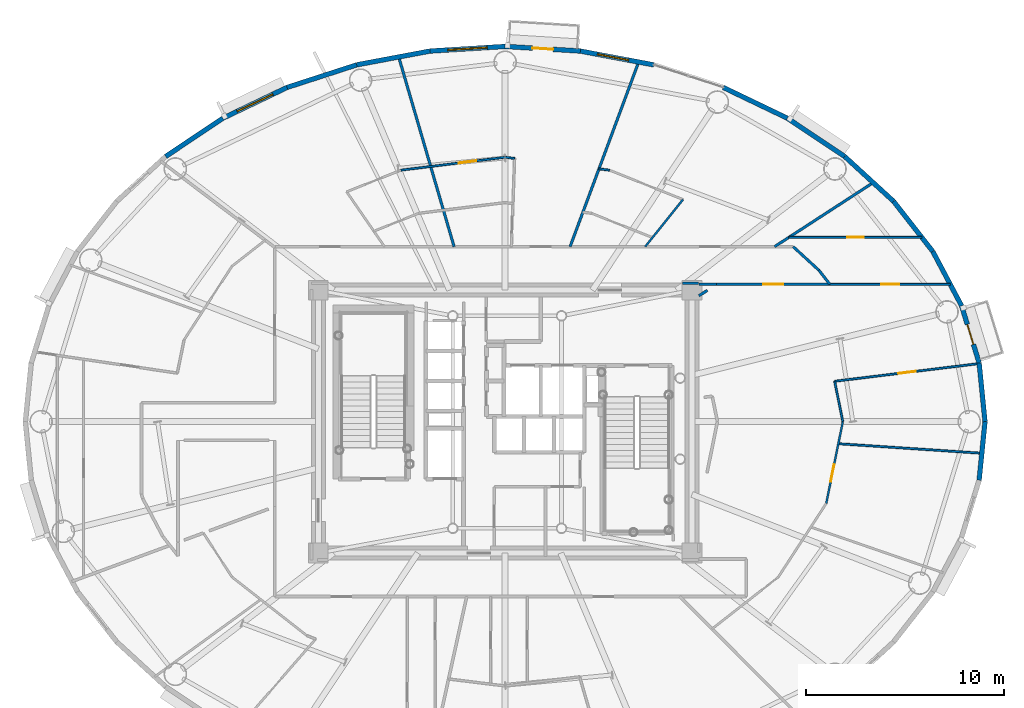
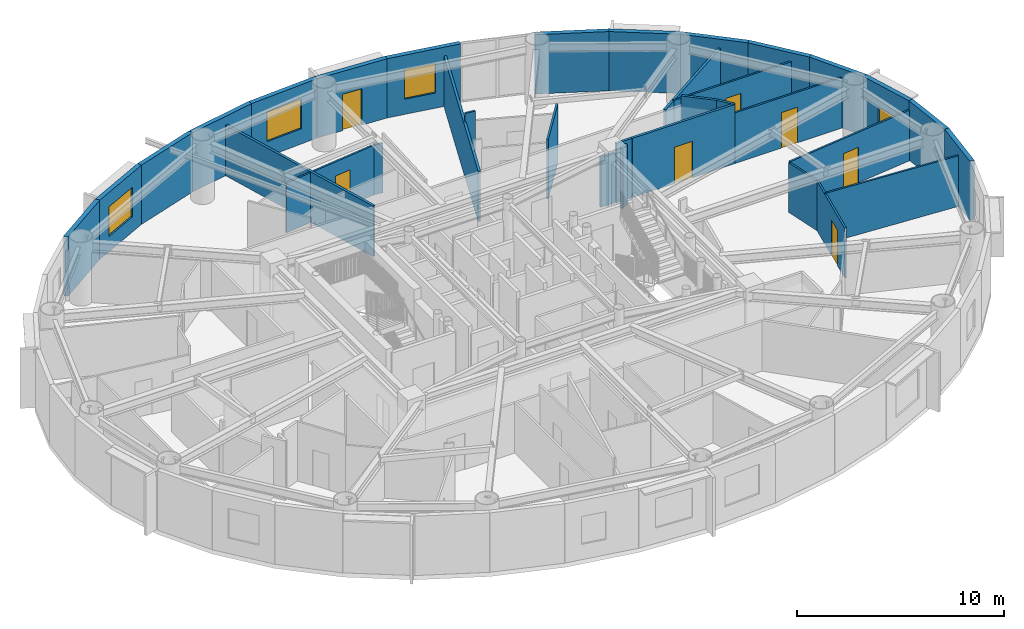
# One storey, part 13 of 22: 34 walls, 8 doors, 3 windows, 11 openings.
"""IFC4 building model written with IfcOpenShell, lengths in metres."""

from ifc_helpers import new_model, si_unit, direction, frame, frame_2d, origin, origin_2d, place, context, subcontext, project, spatial, rectangle, extrude, source, transform, mapped, material, layer, layer_set, type_object, element, fill, save


model = new_model("IFC4")

# Units and contexts
model_context = context("Model", 3, precision=1e-05, world=origin(), true_north=direction((0.0, 1.0)))
body_context = subcontext(model_context, "Body", "Model", "MODEL_VIEW")
ifc_project = project(units=[si_unit("LENGTHUNIT", "METRE"), si_unit("AREAUNIT", "SQUARE_METRE"), si_unit("VOLUMEUNIT", "CUBIC_METRE"), si_unit("PLANEANGLEUNIT", "RADIAN"), si_unit("MASSUNIT", "GRAM", prefix="KILO")], contexts=[model_context])

# Site, building, storey
site_placement = place(None, origin())
site = spatial("IfcSite", under=ifc_project, at=site_placement, CompositionType="ELEMENT")
building_placement = place(site_placement, origin())
building = spatial("IfcBuilding", under=site, at=building_placement, Name="Linh Dai School and Residence Tower", CompositionType="ELEMENT")
storey_placement = place(building_placement, frame((0.0, 0.0, 214.050048828125)))
storey = spatial("IfcBuildingStorey", under=building, at=storey_placement, Name="L52", CompositionType="ELEMENT", Elevation=214.050048828125)

# Wall
ifc_material_1 = material(Name="Precast Concrete B45 (C35/45)", Category="concrete")
ifc_layer_1 = layer(ifc_material_1, 0.239990234375)
ifc_layer_set_1 = layer_set([ifc_layer_1], Name="Precast Concrete B45 (C35/45)")
wall_type_1 = type_object("IfcWallType", Name="EW-TC-240", PredefinedType="SOLIDWALL", material=ifc_layer_set_1)
wall_1_placement = place(storey_placement, frame((59.97705078125, 29.9638671875, 0.0), z_axis=(0.0, 0.0, 1.0), x_axis=(0.099990595253, -0.994988382274, 0.0)))
element("IfcWall", 1, at=wall_1_placement, inside=storey, type_object=wall_type_1, Name="L52 Terracotta Exterior Wall 01", PredefinedType="SOLIDWALL", context=body_context, shape_type="SweptSolid", body=[
    extrude(rectangle(XDim=2.978759765625, YDim=0.239990234375, at=frame_2d((1.4892578125, 0.0))), origin(), (0.0, 0.0, 1.0), 3.5),
])

# Wall, opening, door
wall_2_placement = place(storey_placement, frame((59.09033203125, 32.85595703125, 0.0), z_axis=(0.0, 0.0, 1.0), x_axis=(0.293132907334, -0.95607170162, 0.0)))
wall_2 = element("IfcWall", 2, at=wall_2_placement, inside=storey, type_object=wall_type_1, Name="L52 Terracotta Exterior Wall 02", PredefinedType="SOLIDWALL", context=body_context, shape_type="SweptSolid", body=[
    extrude(rectangle(XDim=3.02490234375, YDim=0.239990234375, at=frame_2d((1.512451171875, 0.0))), origin(), (0.0, 0.0, 1.0), 3.5),
])
opening_1_placement = place(wall_2_placement, frame((0.9873046875, 0.0, 0.0)))
opening_1 = element("IfcOpeningElement", 3, at=opening_1_placement, cuts=wall_2, Name="Opening BD1", PredefinedType="OPENING", context=body_context, shape_type="SweptSolid", body=[
    extrude(rectangle(XDim=1.050048828125, YDim=2.14990234375, at=origin_2d()), frame((0.52490234375, 0.1298828125, 1.074951171875), z_axis=(0.0, -1.0, 0.0), x_axis=(1.0, 0.0, 0.0)), (0.0, 0.0, 1.0), 0.260009765625),
])
ifc_material_2 = material(Name="Double-Glazed Balcony Door", Category="glass")
door_type_1 = type_object("IfcDoorType", Name="DR-BALC-1050x2150", OperationType="NOTDEFINED", PredefinedType="DOOR", material=ifc_material_2)
shared_shape_1 = source(origin(), body_context, "Body", "SweptSolid", [
    extrude(rectangle(XDim=1.050048828125, YDim=2.14990234375, at=origin_2d()), frame((0.52490234375, 0.02490234375, 1.074951171875), z_axis=(0.0, -1.0, 0.0), x_axis=(1.0, 0.0, 0.0)), (0.0, 0.0, 1.0), 0.050048828125),
])
door_1_placement = place(opening_1_placement, origin())
door_1 = element("IfcDoor", 4, at=door_1_placement, inside=storey, type_object=door_type_1, Name="L52 Glazed Balcony Door 02", OperationType="SINGLE_SWING_LEFT", OverallHeight=2.14990234375, OverallWidth=1.050048828125, PredefinedType="DOOR", context=body_context, shape_type="MappedRepresentation", body=[
    mapped(shared_shape_1, transform((0.0, 0.0, 0.0), x_axis=(1.0, 0.0, 0.0), y_axis=(0.0, 1.0, 0.0), z_axis=(0.0, 0.0, 1.0), scale=1.0)),
])
fill(opening_1, door_1)

# Walls
wall_3_placement = place(storey_placement, frame((57.6357421875, 35.605224609375, 0.0), z_axis=(0.0, 0.0, 1.0), x_axis=(0.46766049993, -0.883908172157, 0.0)))
element("IfcWall", 5, at=wall_3_placement, inside=storey, type_object=wall_type_1, Name="L52 Terracotta Exterior Wall 03", PredefinedType="SOLIDWALL", context=body_context, shape_type="SweptSolid", body=[
    extrude(rectangle(XDim=3.1103515625, YDim=0.239990234375, at=frame_2d((1.55517578125, 0.0))), origin(), (0.0, 0.0, 1.0), 3.5),
])
wall_4_placement = place(storey_placement, frame((55.6484375, 38.14453125, 0.0), z_axis=(0.0, 0.0, 1.0), x_axis=(0.616312344705, -0.787501805562, 0.0)))
element("IfcWall", 6, at=wall_4_placement, inside=storey, type_object=wall_type_1, Name="L52 Terracotta Exterior Wall 04", PredefinedType="SOLIDWALL", context=body_context, shape_type="SweptSolid", body=[
    extrude(rectangle(XDim=3.224609375, YDim=0.239990234375, at=frame_2d((1.6123046875, 0.0))), origin(), (0.0, 0.0, 1.0), 3.5),
])
wall_5_placement = place(storey_placement, frame((53.17626953125, 40.410888671875, 0.0), z_axis=(0.0, 0.0, 1.0), x_axis=(0.737123922599, -0.675757591694, 0.0)))
element("IfcWall", 7, at=wall_5_placement, inside=storey, type_object=wall_type_1, Name="L52 Terracotta Exterior Wall 05", PredefinedType="SOLIDWALL", context=body_context, shape_type="SweptSolid", body=[
    extrude(rectangle(XDim=3.353759765625, YDim=0.239990234375, at=frame_2d((1.6767578125, 0.0))), origin(), (0.0, 0.0, 1.0), 3.5),
])
wall_6_placement = place(storey_placement, frame((50.280029296875, 42.34765625, 0.0), z_axis=(0.0, 0.0, 1.0), x_axis=(0.831262496074, -0.555880079352, 0.0)))
element("IfcWall", 8, at=wall_6_placement, inside=storey, type_object=wall_type_1, Name="L52 Terracotta Exterior Wall 06", PredefinedType="SOLIDWALL", context=body_context, shape_type="SweptSolid", body=[
    extrude(rectangle(XDim=3.484130859375, YDim=0.239990234375, at=frame_2d((1.7421875, 0.0))), origin(), (0.0, 0.0, 1.0), 3.5),
])
wall_7_placement = place(storey_placement, frame((47.031005859375, 43.906494140625, 0.0), z_axis=(0.0, 0.0, 1.0), x_axis=(0.901598104751, -0.432574684313, 0.0)))
element("IfcWall", 9, at=wall_7_placement, inside=storey, type_object=wall_type_1, Name="L52 Terracotta Exterior Wall 07", PredefinedType="SOLIDWALL", context=body_context, shape_type="SweptSolid", body=[
    extrude(rectangle(XDim=3.603515625, YDim=0.239990234375, at=frame_2d((1.8017578125, 0.0))), origin(), (0.0, 0.0, 1.0), 3.5),
])

# Wall, opening, window
wall_8_placement = place(storey_placement, frame((39.801513671875, 45.745849609375, 0.0), z_axis=(0.0, 0.0, 1.0), x_axis=(0.982784898575, -0.184753465822, 0.0)))
wall_8 = element("IfcWall", 10, at=wall_8_placement, inside=storey, type_object=wall_type_1, Name="L52 Terracotta Exterior Wall 09", PredefinedType="SOLIDWALL", context=body_context, shape_type="SweptSolid", body=[
    extrude(rectangle(XDim=3.772705078125, YDim=0.239990234375, at=frame_2d((1.88623046875, 0.0))), origin(), (0.0, 0.0, 1.0), 3.5),
])
opening_2_placement = place(wall_8_placement, frame((0.884033203125, 0.0, 0.89990234375)))
opening_2 = element("IfcOpeningElement", 11, at=opening_2_placement, cuts=wall_8, Name="Opening W2", PredefinedType="OPENING", context=body_context, shape_type="SweptSolid", body=[
    extrude(rectangle(XDim=1.60009765625, YDim=1.75, at=origin_2d()), frame((0.800048828125, 0.1298828125, 0.875), z_axis=(0.0, -1.0, 0.0), x_axis=(1.0, 0.0, 0.0)), (0.0, 0.0, 1.0), 0.260009765625),
])
ifc_material_3 = material(Name="Double Low-E Insulated Glazing", Category="glass")
window_type_1 = type_object("IfcWindowType", Name="WN-RES-1600x1750", PartitioningType="DOUBLE_PANEL_VERTICAL", PredefinedType="WINDOW", material=ifc_material_3)
shared_shape_2 = source(origin(), body_context, "Body", "SweptSolid", [
    extrude(rectangle(XDim=1.60009765625, YDim=1.75, at=origin_2d()), frame((0.800048828125, 0.030029296875, 0.875), z_axis=(0.0, -1.0, 0.0), x_axis=(1.0, 0.0, 0.0)), (0.0, 0.0, 1.0), 0.06005859375),
])
window_1_placement = place(opening_2_placement, origin())
window_1 = element("IfcWindow", 12, at=window_1_placement, inside=storey, type_object=window_type_1, Name="L52 Exterior Window 09.1", OverallHeight=1.75, OverallWidth=1.60009765625, PartitioningType="DOUBLE_PANEL_VERTICAL", PredefinedType="WINDOW", context=body_context, shape_type="MappedRepresentation", body=[
    mapped(shared_shape_2, transform((0.0, 0.0, 0.0), x_axis=(1.0, 0.0, 0.0), y_axis=(0.0, 1.0, 0.0), z_axis=(0.0, 0.0, 1.0), scale=1.0)),
])
fill(opening_2, window_1)

# Wall, opening, door
wall_9_placement = place(storey_placement, frame((36.0, 45.97998046875, 0.0), z_axis=(0.0, 0.0, 1.0), x_axis=(0.998108785312, -0.06147237333, 0.0)))
wall_9 = element("IfcWall", 13, at=wall_9_placement, inside=storey, type_object=wall_type_1, Name="L52 Terracotta Exterior Wall 10", PredefinedType="SOLIDWALL", context=body_context, shape_type="SweptSolid", body=[
    extrude(rectangle(XDim=3.808837890625, YDim=0.239990234375, at=frame_2d((1.904296875, 0.0))), origin(), (0.0, 0.0, 1.0), 3.5),
])
opening_3_placement = place(wall_9_placement, frame((1.37939453125, 0.0, 0.0)))
opening_3 = element("IfcOpeningElement", 14, at=opening_3_placement, cuts=wall_9, Name="Opening BD1", PredefinedType="OPENING", context=body_context, shape_type="SweptSolid", body=[
    extrude(rectangle(XDim=1.050048828125, YDim=2.14990234375, at=origin_2d()), frame((0.52490234375, 0.1298828125, 1.074951171875), z_axis=(0.0, -1.0, 0.0), x_axis=(1.0, 0.0, 0.0)), (0.0, 0.0, 1.0), 0.260009765625),
])
door_2_placement = place(opening_3_placement, origin())
door_2 = element("IfcDoor", 15, at=door_2_placement, inside=storey, type_object=door_type_1, Name="L52 Glazed Balcony Door 10", OperationType="SINGLE_SWING_RIGHT", OverallHeight=2.14990234375, OverallWidth=1.050048828125, PredefinedType="DOOR", context=body_context, shape_type="MappedRepresentation", body=[
    mapped(shared_shape_1, transform((0.0, 0.0, 0.0), x_axis=(1.0, 0.0, 0.0), y_axis=(0.0, 1.0, 0.0), z_axis=(0.0, 0.0, 1.0), scale=1.0)),
])
fill(opening_3, door_2)

# Wall, opening, window
wall_10_placement = place(storey_placement, frame((32.198486328125, 45.745849609375, 0.0), z_axis=(0.0, 0.0, 1.0), x_axis=(0.998108785312, 0.06147237333, 0.0)))
wall_10 = element("IfcWall", 16, at=wall_10_placement, inside=storey, type_object=wall_type_1, Name="L52 Terracotta Exterior Wall 11", PredefinedType="SOLIDWALL", context=body_context, shape_type="SweptSolid", body=[
    extrude(rectangle(XDim=3.808837890625, YDim=0.239990234375, at=frame_2d((1.904296875, 0.0))), origin(), (0.0, 0.0, 1.0), 3.5),
])
opening_4_placement = place(wall_10_placement, frame((0.904541015625, 0.0, 0.89990234375)))
opening_4 = element("IfcOpeningElement", 17, at=opening_4_placement, cuts=wall_10, Name="Opening W1", PredefinedType="OPENING", context=body_context, shape_type="SweptSolid", body=[
    extrude(rectangle(XDim=2.0, YDim=1.75, at=origin_2d()), frame((1.0, 0.1298828125, 0.875), z_axis=(0.0, -1.0, 0.0), x_axis=(1.0, 0.0, 0.0)), (0.0, 0.0, 1.0), 0.260009765625),
])
window_type_2 = type_object("IfcWindowType", Name="WN-RES-2000x1750", PartitioningType="DOUBLE_PANEL_VERTICAL", PredefinedType="WINDOW", material=ifc_material_3)
shared_shape_3 = source(origin(), body_context, "Body", "SweptSolid", [
    extrude(rectangle(XDim=2.0, YDim=1.75, at=origin_2d()), frame((1.0, 0.030029296875, 0.875), z_axis=(0.0, -1.0, 0.0), x_axis=(1.0, 0.0, 0.0)), (0.0, 0.0, 1.0), 0.06005859375),
])
window_2_placement = place(opening_4_placement, origin())
window_2 = element("IfcWindow", 18, at=window_2_placement, inside=storey, type_object=window_type_2, Name="L52 Exterior Window 11.1", OverallHeight=1.75, OverallWidth=2.0, PartitioningType="DOUBLE_PANEL_VERTICAL", PredefinedType="WINDOW", context=body_context, shape_type="MappedRepresentation", body=[
    mapped(shared_shape_3, transform((0.0, 0.0, 0.0), x_axis=(1.0, 0.0, 0.0), y_axis=(0.0, 1.0, 0.0), z_axis=(0.0, 0.0, 1.0), scale=1.0)),
])
fill(opening_4, window_2)

# Walls
wall_11_placement = place(storey_placement, frame((28.49072265625, 45.048828125, 0.0), z_axis=(0.0, 0.0, 1.0), x_axis=(0.982784898575, 0.184753465822, 0.0)))
element("IfcWall", 19, at=wall_11_placement, inside=storey, type_object=wall_type_1, Name="L52 Terracotta Exterior Wall 12", PredefinedType="SOLIDWALL", context=body_context, shape_type="SweptSolid", body=[
    extrude(rectangle(XDim=3.772705078125, YDim=0.239990234375, at=frame_2d((1.88623046875, 0.0))), origin(), (0.0, 0.0, 1.0), 3.5),
])
wall_12_placement = place(storey_placement, frame((24.968994140625, 43.906494140625, 0.0), z_axis=(0.0, 0.0, 1.0), x_axis=(0.951210789182, 0.308541787354, 0.0)))
element("IfcWall", 20, at=wall_12_placement, inside=storey, type_object=wall_type_1, Name="L52 Terracotta Exterior Wall 13", PredefinedType="SOLIDWALL", context=body_context, shape_type="SweptSolid", body=[
    extrude(rectangle(XDim=3.702392578125, YDim=0.239990234375, at=frame_2d((1.85107421875, 0.0))), origin(), (0.0, 0.0, 1.0), 3.5),
])

# Wall, opening, window
wall_13_placement = place(storey_placement, frame((21.719970703125, 42.34765625, 0.0), z_axis=(0.0, 0.0, 1.0), x_axis=(0.901598104751, 0.432574684313, 0.0)))
wall_13 = element("IfcWall", 21, at=wall_13_placement, inside=storey, type_object=wall_type_1, Name="L52 Terracotta Exterior Wall 14", PredefinedType="SOLIDWALL", context=body_context, shape_type="SweptSolid", body=[
    extrude(rectangle(XDim=3.603515625, YDim=0.239990234375, at=frame_2d((1.8017578125, 0.0))), origin(), (0.0, 0.0, 1.0), 3.5),
])
opening_5_placement = place(wall_13_placement, frame((0.802001953125, 0.0, 0.89990234375)))
opening_5 = element("IfcOpeningElement", 22, at=opening_5_placement, cuts=wall_13, Name="Opening W1", PredefinedType="OPENING", context=body_context, shape_type="SweptSolid", body=[
    extrude(rectangle(XDim=2.0, YDim=1.75, at=origin_2d()), frame((1.0, 0.1298828125, 0.875), z_axis=(0.0, -1.0, 0.0), x_axis=(1.0, 0.0, 0.0)), (0.0, 0.0, 1.0), 0.260009765625),
])
window_3_placement = place(opening_5_placement, origin())
window_3 = element("IfcWindow", 23, at=window_3_placement, inside=storey, type_object=window_type_2, Name="L52 Exterior Window 14.1", OverallHeight=1.75, OverallWidth=2.0, PartitioningType="DOUBLE_PANEL_VERTICAL", PredefinedType="WINDOW", context=body_context, shape_type="MappedRepresentation", body=[
    mapped(shared_shape_3, transform((0.0, 0.0, 0.0), x_axis=(1.0, 0.0, 0.0), y_axis=(0.0, 1.0, 0.0), z_axis=(0.0, 0.0, 1.0), scale=1.0)),
])
fill(opening_5, window_3)

# Walls
wall_14_placement = place(storey_placement, frame((18.82373046875, 40.410888671875, 0.0), z_axis=(0.0, 0.0, 1.0), x_axis=(0.831262496074, 0.555880079352, 0.0)))
element("IfcWall", 24, at=wall_14_placement, inside=storey, type_object=wall_type_1, Name="L52 Terracotta Exterior Wall 15", PredefinedType="SOLIDWALL", context=body_context, shape_type="SweptSolid", body=[
    extrude(rectangle(XDim=3.484130859375, YDim=0.239990234375, at=frame_2d((1.7421875, 0.0))), origin(), (0.0, 0.0, 1.0), 3.5),
])
wall_15_placement = place(storey_placement, frame((60.27490234375, 27.0, 0.0), z_axis=(0.0, 0.0, 1.0), x_axis=(-0.099990595253, -0.994988382274, 0.0)))
element("IfcWall", 25, at=wall_15_placement, inside=storey, type_object=wall_type_1, Name="L52 Terracotta Exterior Wall 40", PredefinedType="SOLIDWALL", context=body_context, shape_type="SweptSolid", body=[
    extrude(rectangle(XDim=2.978759765625, YDim=0.239990234375, at=frame_2d((1.4892578125, 0.0))), origin(), (0.0, 0.0, 1.0), 3.5),
])
ifc_material_4 = material(Name="Autoclaved Aerated Concrete Blockwork", Category="masonry")
ifc_layer_2 = layer(ifc_material_4, 0.135009765625)
ifc_layer_set_2 = layer_set([ifc_layer_2], Name="Autoclaved Aerated Concrete Blockwork")
wall_type_2 = type_object("IfcWallType", Name="IW-CORR-135-EI90", PredefinedType="PARTITIONING", material=ifc_layer_set_2)
wall_16_placement = place(storey_placement, frame((30.613037109375, 45.452880859375, 0.0), z_axis=(0.0, 0.0, 1.0), x_axis=(0.280222100614, -0.959935192775, 0.0)))
element("IfcWall", 26, at=wall_16_placement, inside=storey, type_object=wall_type_2, Name="L52 Interior Partition Wall 029", PredefinedType="PARTITIONING", context=body_context, shape_type="SweptSolid", body=[
    extrude(rectangle(XDim=10.003662109375, YDim=0.135009765625, at=frame_2d((5.001953125, 0.0))), origin(), (0.0, 0.0, 1.0), 2.98486328125),
])
wall_17_placement = place(storey_placement, frame((39.28466796875, 35.85009765625, 0.0), z_axis=(0.0, 0.0, 1.0), x_axis=(0.347978689674, 0.937502443481, 0.0)))
element("IfcWall", 27, at=wall_17_placement, inside=storey, type_object=wall_type_2, Name="L52 Interior Partition Wall 069", PredefinedType="PARTITIONING", context=body_context, shape_type="SweptSolid", body=[
    extrude(rectangle(XDim=9.968994140625, YDim=0.135009765625, at=frame_2d((4.984375, 0.0))), origin(), (0.0, 0.0, 1.0), 2.98486328125),
])

# Wall, opening, door
wall_18_placement = place(storey_placement, frame((46.69091796875, 33.949951171875, 0.0), z_axis=(0.0, 0.0, 1.0), x_axis=(1.0, 0.0, 0.0)))
wall_18 = element("IfcWall", 28, at=wall_18_placement, inside=storey, type_object=wall_type_2, Name="L52 Interior Partition Wall 085", PredefinedType="PARTITIONING", context=body_context, shape_type="SweptSolid", body=[
    extrude(rectangle(XDim=5.73291015625, YDim=0.135009765625, at=frame_2d((2.866455078125, 0.0))), origin(), (0.0, 0.0, 1.0), 3.5),
])
opening_6_placement = place(wall_18_placement, frame((2.366455078125, 0.0, 0.0)))
opening_6 = element("IfcOpeningElement", 29, at=opening_6_placement, cuts=wall_18, Name="Opening D03", PredefinedType="OPENING", context=body_context, shape_type="SweptSolid", body=[
    extrude(rectangle(XDim=1.0, YDim=2.14990234375, at=origin_2d()), frame((0.5, 0.07763671875, 1.074951171875), z_axis=(0.0, -1.0, 0.0), x_axis=(1.0, 0.0, 0.0)), (0.0, 0.0, 1.0), 0.155029296875),
])
ifc_material_5 = material(Name="Fire-Rated Solid Timber Entrance Door", Category="wood")
door_type_2 = type_object("IfcDoorType", Name="DR-FLAT-1000x2150-FD60S", OperationType="NOTDEFINED", PredefinedType="DOOR", material=ifc_material_5)
shared_shape_4 = source(origin(), body_context, "Body", "SweptSolid", [
    extrude(rectangle(XDim=1.0, YDim=2.14990234375, at=origin_2d()), frame((0.5, 0.02490234375, 1.074951171875), z_axis=(0.0, -1.0, 0.0), x_axis=(1.0, 0.0, 0.0)), (0.0, 0.0, 1.0), 0.050048828125),
])
door_3_placement = place(opening_6_placement, origin())
door_3 = element("IfcDoor", 30, at=door_3_placement, inside=storey, type_object=door_type_2, Name="L52 U5207 Apartment Entrance Door", OperationType="SINGLE_SWING_LEFT", OverallHeight=2.14990234375, OverallWidth=1.0, PredefinedType="DOOR", context=body_context, shape_type="MappedRepresentation", body=[
    mapped(shared_shape_4, transform((0.0, 0.0, 0.0), x_axis=(1.0, 0.0, 0.0), y_axis=(0.0, 1.0, 0.0), z_axis=(0.0, 0.0, 1.0), scale=1.0)),
])
fill(opening_6, door_3)

# Walls
wall_19_placement = place(storey_placement, frame((49.627685546875, 35.85009765625, 0.0), z_axis=(0.0, 0.0, 1.0), x_axis=(0.838688976762, 0.544610686875, 0.0)))
element("IfcWall", 31, at=wall_19_placement, inside=storey, type_object=wall_type_2, Name="L52 Interior Partition Wall 087", PredefinedType="PARTITIONING", context=body_context, shape_type="SweptSolid", body=[
    extrude(rectangle(XDim=5.9541015625, YDim=0.135009765625, at=frame_2d((2.97705078125, 0.0))), origin(), (0.0, 0.0, 1.0), 2.98486328125),
])
wall_20_placement = place(storey_placement, frame((50.56787109375, 35.85009765625, 0.0), z_axis=(0.0, 0.0, 1.0), x_axis=(0.737102657331, -0.675780787353, 0.0)))
element("IfcWall", 32, at=wall_20_placement, inside=storey, type_object=wall_type_2, Name="L52 Interior Partition Wall 090", PredefinedType="PARTITIONING", context=body_context, shape_type="SweptSolid", body=[
    extrude(rectangle(XDim=1.771728515625, YDim=0.135009765625, at=frame_2d((0.8857421875, 0.0))), origin(), (0.0, 0.0, 1.0), 3.5),
])
wall_21_placement = place(storey_placement, frame((51.873779296875, 34.65283203125, 0.0), z_axis=(0.0, 0.0, 1.0), x_axis=(0.61628613448, -0.787522317429, 0.0)))
element("IfcWall", 33, at=wall_21_placement, inside=storey, type_object=wall_type_2, Name="L52 Interior Partition Wall 092", PredefinedType="PARTITIONING", context=body_context, shape_type="SweptSolid", body=[
    extrude(rectangle(XDim=0.892578125, YDim=0.135009765625, at=frame_2d((0.4462890625, 0.0))), origin(), (0.0, 0.0, 1.0), 3.5),
])
wall_22_placement = place(storey_placement, frame((46.680908203125, 33.949951171875, 0.0), z_axis=(0.0, 0.0, 1.0), x_axis=(-1.0, 0.0, 0.0)))
element("IfcWall", 34, at=wall_22_placement, inside=storey, type_object=wall_type_2, Name="L52 Interior Partition Wall 105", PredefinedType="PARTITIONING", context=body_context, shape_type="SweptSolid", body=[
    extrude(rectangle(XDim=0.880859375, YDim=0.135009765625, at=frame_2d((0.4404296875, 0.0))), origin(), (0.0, 0.0, 1.0), 3.5),
])
wall_23_placement = place(storey_placement, frame((45.7900390625, 34.0, 0.0), z_axis=(0.0, 0.0, 1.0), x_axis=(-1.0, 0.0, 0.0)))
element("IfcWall", 35, at=wall_23_placement, inside=storey, type_object=wall_type_2, Name="L52 Interior Partition Wall 106", PredefinedType="PARTITIONING", context=body_context, shape_type="SweptSolid", body=[
    extrude(rectangle(XDim=0.830078125, YDim=0.135009765625, at=frame_2d((0.4150390625, 0.0))), origin(), (0.0, 0.0, 1.0), 2.93505859375),
])
wall_24_placement = place(storey_placement, frame((45.800048828125, 33.3642578125, 0.0), z_axis=(0.0, 0.0, 1.0), x_axis=(0.838607336961, 0.544736389821, 0.0)))
element("IfcWall", 36, at=wall_24_placement, inside=storey, type_object=wall_type_2, Name="L52 Interior Partition Wall 120", PredefinedType="PARTITIONING", context=body_context, shape_type="SweptSolid", body=[
    extrude(rectangle(XDim=0.510986328125, YDim=0.135009765625, at=frame_2d((0.25537109375, 0.0))), origin(), (0.0, 0.0, 1.0), 3.5),
])

# Wall, opening, door
ifc_material_6 = material(Name="Gypsum Plasterboard Acoustic Stud Partition", Category="masonry")
ifc_layer_3 = layer(ifc_material_6, 0.10009765625)
ifc_layer_set_3 = layer_set([ifc_layer_3], Name="Gypsum Plasterboard Acoustic Stud Partition")
wall_type_3 = type_object("IfcWallType", Name="IW-UNIT-100", PredefinedType="PARTITIONING", material=ifc_layer_set_3)
wall_25_placement = place(storey_placement, frame((30.721923828125, 39.718994140625, 0.0), z_axis=(0.0, 0.0, 1.0), x_axis=(0.992398169186, 0.123068573551, 0.0)))
wall_25 = element("IfcWall", 37, at=wall_25_placement, inside=storey, type_object=wall_type_3, Name="L52 Interior Partition Wall 030", PredefinedType="PARTITIONING", context=body_context, shape_type="SweptSolid", body=[
    extrude(rectangle(XDim=5.318603515625, YDim=0.10009765625, at=frame_2d((2.6591796875, 0.0))), origin(), (0.0, 0.0, 1.0), 2.93505859375),
])
opening_7_placement = place(wall_25_placement, frame((2.9501953125, 0.0, 0.0)))
opening_7 = element("IfcOpeningElement", 38, at=opening_7_placement, cuts=wall_25, Name="Opening D05", PredefinedType="OPENING", context=body_context, shape_type="SweptSolid", body=[
    extrude(rectangle(XDim=0.89990234375, YDim=2.10009765625, at=origin_2d()), frame((0.449951171875, 0.06005859375, 1.050048828125), z_axis=(0.0, -1.0, 0.0), x_axis=(1.0, 0.0, 0.0)), (0.0, 0.0, 1.0), 0.1201171875),
])
ifc_material_7 = material(Name="Engineered Timber Internal Door", Category="wood")
door_type_3 = type_object("IfcDoorType", Name="DR-INT-900x2100", OperationType="NOTDEFINED", PredefinedType="DOOR", material=ifc_material_7)
shared_shape_5 = source(origin(), body_context, "Body", "SweptSolid", [
    extrude(rectangle(XDim=0.89990234375, YDim=2.10009765625, at=origin_2d()), frame((0.449951171875, 0.02490234375, 1.050048828125), z_axis=(0.0, -1.0, 0.0), x_axis=(1.0, 0.0, 0.0)), (0.0, 0.0, 1.0), 0.050048828125),
])
door_4_placement = place(opening_7_placement, origin())
door_4 = element("IfcDoor", 39, at=door_4_placement, inside=storey, type_object=door_type_3, Name="L52 Apartment U5202 Kitchen Door", OperationType="SINGLE_SWING_LEFT", OverallHeight=2.10009765625, OverallWidth=0.89990234375, PredefinedType="DOOR", context=body_context, shape_type="MappedRepresentation", body=[
    mapped(shared_shape_5, transform((0.0, 0.0, 0.0), x_axis=(1.0, 0.0, 0.0), y_axis=(0.0, 1.0, 0.0), z_axis=(0.0, 0.0, 1.0), scale=1.0)),
])
fill(opening_7, door_4)

# Walls
wall_26_placement = place(storey_placement, frame((36.0, 40.37353515625, 0.0), z_axis=(0.0, 0.0, 1.0), x_axis=(0.992363891793, -0.123344664517, 0.0)))
element("IfcWall", 40, at=wall_26_placement, inside=storey, type_object=wall_type_3, Name="L52 Interior Partition Wall 061", PredefinedType="PARTITIONING", context=body_context, shape_type="SweptSolid", body=[
    extrude(rectangle(XDim=0.47900390625, YDim=0.10009765625, at=frame_2d((0.239501953125, 0.0))), origin(), (0.0, 0.0, 1.0), 2.93505859375),
])
wall_27_placement = place(storey_placement, frame((40.745361328125, 39.784912109375, 0.0), z_axis=(0.0, 0.0, 1.0), x_axis=(0.992431053699, -0.122803109303, 0.0)))
element("IfcWall", 41, at=wall_27_placement, inside=storey, type_object=wall_type_3, Name="L52 Interior Partition Wall 076", PredefinedType="PARTITIONING", context=body_context, shape_type="SweptSolid", body=[
    extrude(rectangle(XDim=0.536865234375, YDim=0.10009765625, at=frame_2d((0.2685546875, 0.0))), origin(), (0.0, 0.0, 1.0), 3.5),
])
wall_28_placement = place(storey_placement, frame((43.08544921875, 35.85009765625, 0.0), z_axis=(0.0, 0.0, 1.0), x_axis=(0.62500673738, 0.780619355531, 0.0)))
element("IfcWall", 42, at=wall_28_placement, inside=storey, type_object=wall_type_3, Name="L52 Interior Partition Wall 080", PredefinedType="PARTITIONING", context=body_context, shape_type="SweptSolid", body=[
    extrude(rectangle(XDim=3.05615234375, YDim=0.10009765625, at=frame_2d((1.528076171875, 0.0))), origin(), (0.0, 0.0, 1.0), 3.5),
])

# Wall, opening, door
wall_29_placement = place(storey_placement, frame((50.3505859375, 36.3193359375, 0.0), z_axis=(0.0, 0.0, 1.0), x_axis=(1.0, 0.0, 0.0)))
wall_29 = element("IfcWall", 43, at=wall_29_placement, inside=storey, type_object=wall_type_3, Name="L52 Interior Partition Wall 089", PredefinedType="PARTITIONING", context=body_context, shape_type="SweptSolid", body=[
    extrude(rectangle(XDim=6.732666015625, YDim=0.10009765625, at=frame_2d((3.3662109375, 0.0))), origin(), (0.0, 0.0, 1.0), 2.98486328125),
])
opening_8_placement = place(wall_29_placement, frame((2.956298828125, 0.0, 0.0)))
opening_8 = element("IfcOpeningElement", 44, at=opening_8_placement, cuts=wall_29, Name="Opening D06", PredefinedType="OPENING", context=body_context, shape_type="SweptSolid", body=[
    extrude(rectangle(XDim=0.820068359375, YDim=2.10009765625, at=origin_2d()), frame((0.41015625, 0.06005859375, 1.050048828125), z_axis=(0.0, -1.0, 0.0), x_axis=(1.0, 0.0, 0.0)), (0.0, 0.0, 1.0), 0.1201171875),
])
ifc_material_8 = material(Name="Moisture-Resistant Timber Bathroom Door", Category="wood")
door_type_4 = type_object("IfcDoorType", Name="DR-WET-820x2100", OperationType="NOTDEFINED", PredefinedType="DOOR", material=ifc_material_8)
shared_shape_6 = source(origin(), body_context, "Body", "SweptSolid", [
    extrude(rectangle(XDim=0.820068359375, YDim=2.10009765625, at=origin_2d()), frame((0.41015625, 0.02490234375, 1.050048828125), z_axis=(0.0, -1.0, 0.0), x_axis=(1.0, 0.0, 0.0)), (0.0, 0.0, 1.0), 0.050048828125),
])
door_5_placement = place(opening_8_placement, origin())
door_5 = element("IfcDoor", 45, at=door_5_placement, inside=storey, type_object=door_type_4, Name="L52 Apartment U5207 Bathroom 1 Door", OperationType="SINGLE_SWING_RIGHT", OverallHeight=2.10009765625, OverallWidth=0.820068359375, PredefinedType="DOOR", context=body_context, shape_type="MappedRepresentation", body=[
    mapped(shared_shape_6, transform((0.0, 0.0, 0.0), x_axis=(1.0, 0.0, 0.0), y_axis=(0.0, 1.0, 0.0), z_axis=(0.0, 0.0, 1.0), scale=1.0)),
])
fill(opening_8, door_5)

wall_30_placement = place(storey_placement, frame((52.244140625, 22.867431640625, 0.0), z_axis=(0.0, 0.0, 1.0), x_axis=(0.198264809747, 0.980148491411, 0.0)))
wall_30 = element("IfcWall", 46, at=wall_30_placement, inside=storey, type_object=wall_type_3, Name="L52 Interior Partition Wall 093", PredefinedType="PARTITIONING", context=body_context, shape_type="SweptSolid", body=[
    extrude(rectangle(XDim=4.21630859375, YDim=0.10009765625, at=frame_2d((2.108154296875, 0.0))), origin(), (0.0, 0.0, 1.0), 2.93505859375),
])
opening_9_placement = place(wall_30_placement, frame((1.10791015625, 0.0, 0.0)))
opening_9 = element("IfcOpeningElement", 47, at=opening_9_placement, cuts=wall_30, Name="Opening D05", PredefinedType="OPENING", context=body_context, shape_type="SweptSolid", body=[
    extrude(rectangle(XDim=0.89990234375, YDim=2.10009765625, at=origin_2d()), frame((0.449951171875, 0.06005859375, 1.050048828125), z_axis=(0.0, -1.0, 0.0), x_axis=(1.0, 0.0, 0.0)), (0.0, 0.0, 1.0), 0.1201171875),
])
door_6_placement = place(opening_9_placement, origin())
door_6 = element("IfcDoor", 48, at=door_6_placement, inside=storey, type_object=door_type_3, Name="L52 Apartment U5207 Principal Bedroom 2 Door", OperationType="SINGLE_SWING_LEFT", OverallHeight=2.10009765625, OverallWidth=0.89990234375, PredefinedType="DOOR", context=body_context, shape_type="MappedRepresentation", body=[
    mapped(shared_shape_5, transform((0.0, 0.0, 0.0), x_axis=(1.0, 0.0, 0.0), y_axis=(0.0, 1.0, 0.0), z_axis=(0.0, 0.0, 1.0), scale=1.0)),
])
fill(opening_9, door_6)

wall_31_placement = place(storey_placement, frame((52.433837890625, 33.94287109375, 0.0), z_axis=(0.0, 0.0, 1.0), x_axis=(1.0, 0.0, 0.0)))
wall_31 = element("IfcWall", 49, at=wall_31_placement, inside=storey, type_object=wall_type_3, Name="L52 Interior Partition Wall 094", PredefinedType="PARTITIONING", context=body_context, shape_type="SweptSolid", body=[
    extrude(rectangle(XDim=6.087158203125, YDim=0.10009765625, at=frame_2d((3.04345703125, 0.0))), origin(), (0.0, 0.0, 1.0), 2.98486328125),
])
opening_10_placement = place(wall_31_placement, frame((2.593505859375, 0.0, 0.0)))
opening_10 = element("IfcOpeningElement", 50, at=opening_10_placement, cuts=wall_31, Name="Opening D05", PredefinedType="OPENING", context=body_context, shape_type="SweptSolid", body=[
    extrude(rectangle(XDim=0.89990234375, YDim=2.10009765625, at=origin_2d()), frame((0.449951171875, 0.06005859375, 1.050048828125), z_axis=(0.0, -1.0, 0.0), x_axis=(1.0, 0.0, 0.0)), (0.0, 0.0, 1.0), 0.1201171875),
])
door_7_placement = place(opening_10_placement, origin())
door_7 = element("IfcDoor", 51, at=door_7_placement, inside=storey, type_object=door_type_3, Name="L52 Apartment U5207 Kitchen Door", OperationType="SINGLE_SWING_LEFT", OverallHeight=2.10009765625, OverallWidth=0.89990234375, PredefinedType="DOOR", context=body_context, shape_type="MappedRepresentation", body=[
    mapped(shared_shape_5, transform((0.0, 0.0, 0.0), x_axis=(1.0, 0.0, 0.0), y_axis=(0.0, 1.0, 0.0), z_axis=(0.0, 0.0, 1.0), scale=1.0)),
])
fill(opening_10, door_7)

# Wall
wall_32_placement = place(storey_placement, frame((52.6669921875, 29.041259765625, 0.0), z_axis=(0.0, 0.0, 1.0), x_axis=(0.198347441677, -0.980131772967, 0.0)))
element("IfcWall", 52, at=wall_32_placement, inside=storey, type_object=wall_type_3, Name="L52 Interior Partition Wall 095", PredefinedType="PARTITIONING", context=body_context, shape_type="SweptSolid", body=[
    extrude(rectangle(XDim=2.08251953125, YDim=0.10009765625, at=frame_2d((1.041259765625, 0.0))), origin(), (0.0, 0.0, 1.0), 2.93505859375),
])

# Wall, opening, door
wall_33_placement = place(storey_placement, frame((52.6669921875, 29.041259765625, 0.0), z_axis=(0.0, 0.0, 1.0), x_axis=(0.992583045475, 0.121568490306, 0.0)))
wall_33 = element("IfcWall", 53, at=wall_33_placement, inside=storey, type_object=wall_type_3, Name="L52 Interior Partition Wall 096", PredefinedType="PARTITIONING", context=body_context, shape_type="SweptSolid", body=[
    extrude(rectangle(XDim=7.372314453125, YDim=0.10009765625, at=frame_2d((3.68603515625, 0.0))), origin(), (0.0, 0.0, 1.0), 2.98486328125),
])
opening_11_placement = place(wall_33_placement, frame((3.236083984375, 0.0, 0.0)))
opening_11 = element("IfcOpeningElement", 54, at=opening_11_placement, cuts=wall_33, Name="Opening D05", PredefinedType="OPENING", context=body_context, shape_type="SweptSolid", body=[
    extrude(rectangle(XDim=0.89990234375, YDim=2.10009765625, at=origin_2d()), frame((0.449951171875, 0.06005859375, 1.050048828125), z_axis=(0.0, -1.0, 0.0), x_axis=(1.0, 0.0, 0.0)), (0.0, 0.0, 1.0), 0.1201171875),
])
door_8_placement = place(opening_11_placement, origin())
door_8 = element("IfcDoor", 55, at=door_8_placement, inside=storey, type_object=door_type_3, Name="L52 Apartment U5207 Study Door", OperationType="SINGLE_SWING_RIGHT", OverallHeight=2.10009765625, OverallWidth=0.89990234375, PredefinedType="DOOR", context=body_context, shape_type="MappedRepresentation", body=[
    mapped(shared_shape_5, transform((0.0, 0.0, 0.0), x_axis=(1.0, 0.0, 0.0), y_axis=(0.0, 1.0, 0.0), z_axis=(0.0, 0.0, 1.0), scale=1.0)),
])
fill(opening_11, door_8)

# Wall
wall_34_placement = place(storey_placement, frame((52.853759765625, 25.882080078125, 0.0), z_axis=(0.0, 0.0, 1.0), x_axis=(0.997807208554, -0.06618741993, 0.0)))
element("IfcWall", 56, at=wall_34_placement, inside=storey, type_object=wall_type_3, Name="L52 Interior Partition Wall 097", PredefinedType="PARTITIONING", context=body_context, shape_type="SweptSolid", body=[
    extrude(rectangle(XDim=7.28125, YDim=0.10009765625, at=frame_2d((3.640625, 0.0))), origin(), (0.0, 0.0, 1.0), 2.98486328125),
])

save(model, "model.ifc")
